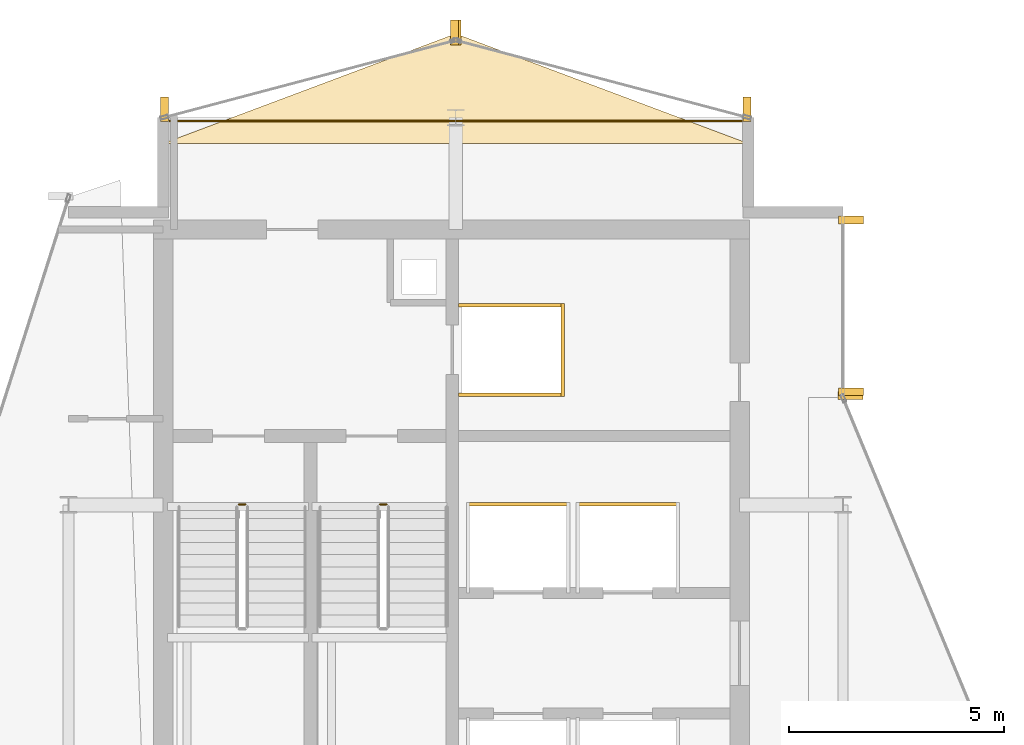
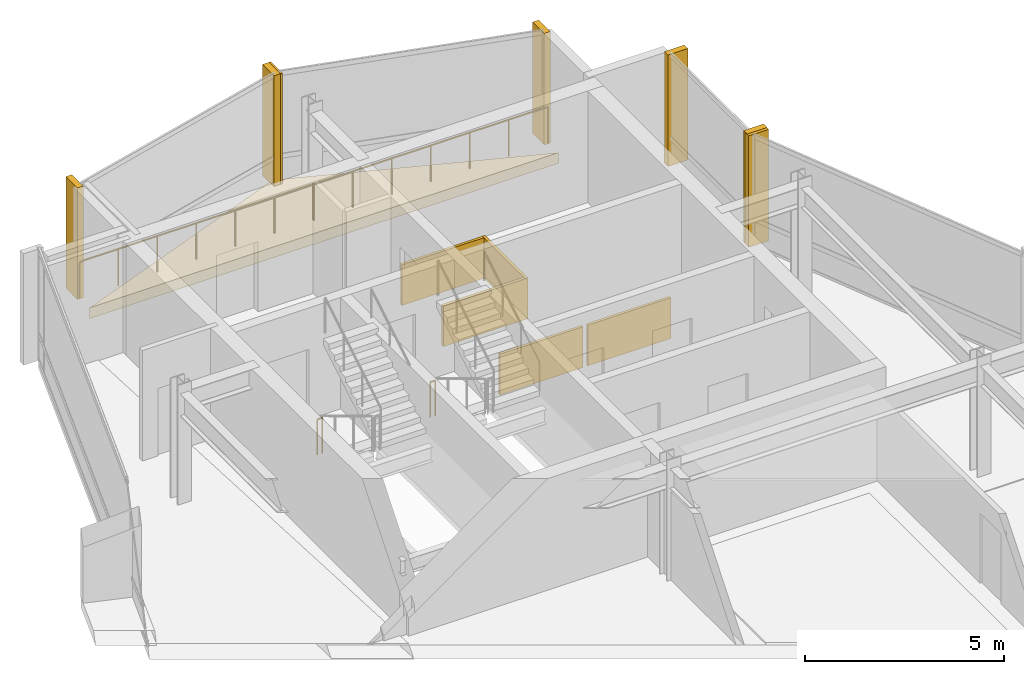
# One storey, part 19 of 19: 13 coverings, 3 railings.
"""IFC4 building model written with IfcOpenShell, lengths in metres."""

from ifc_helpers import new_model, si_unit, direction, frame, origin, origin_2d, place, context, subcontext, project, spatial, polyline, rectangle, circle, outline, extrude, material, layer, layer_set, type_object, element, save


model = new_model("IFC4")

# Units and contexts
model_context = context("Model", 3, precision=1e-05, world=origin(), true_north=direction((0.0, 1.0)))
body_context = subcontext(model_context, "Body", "Model", "MODEL_VIEW")
ifc_project = project(units=[si_unit("LENGTHUNIT", "METRE"), si_unit("AREAUNIT", "SQUARE_METRE"), si_unit("VOLUMEUNIT", "CUBIC_METRE"), si_unit("PLANEANGLEUNIT", "RADIAN"), si_unit("MASSUNIT", "GRAM", prefix="KILO")], contexts=[model_context])

# Site, building, storey
site_placement = place(None, origin())
site = spatial("IfcSite", under=ifc_project, at=site_placement, CompositionType="ELEMENT")
building_placement = place(site_placement, origin())
building = spatial("IfcBuilding", under=site, at=building_placement, Name="Solvaryn Broadcast Tower", CompositionType="ELEMENT")
storey_placement = place(building_placement, frame((0.0, 0.0, 244.5)))
storey = spatial("IfcBuildingStorey", under=building, at=storey_placement, Name="L61", CompositionType="ELEMENT", Elevation=244.5)

# Coverings
ifc_material_1 = material(Name="Fire-Rated Gypsum Shaftwall Liner", Category="concrete")
ifc_layer_1 = layer(ifc_material_1, 0.080078125)
ifc_layer_set_1 = layer_set([ifc_layer_1], Name="CV-SHAFT-LINER")
covering_type_1 = type_object("IfcCoveringType", Name="CV-SHAFT-LINER", PredefinedType="CLADDING", material=ifc_layer_set_1)
for number, where, z_axis, x_axis, name in (
    (1, (19.300048828125, 40.639892578125, 0.0), (0.0, 0.0, 1.0), (1.0, 0.0, 0.0), "L61 FL1 Hoistway Shaft Liner North"),
    (2, (19.300048828125, 38.56005859375, 0.0), (0.0, 0.0, 1.0), (1.0, 0.0, 0.0), "L61 FL1 Hoistway Shaft Liner South"),
):
    element("IfcCovering", number, at=place(storey_placement, frame(where, z_axis=z_axis, x_axis=x_axis)), inside=storey, type_object=covering_type_1, Name=name, PredefinedType="CLADDING", context=body_context, shape_type="SweptSolid", body=[
        extrude(rectangle(XDim=2.4599609375, YDim=0.080078125, at=origin_2d()), origin(), (0.0, 0.0, 1.0), 1.25),
    ])
covering_1_placement = place(storey_placement, frame((20.489990234375, 39.60009765625, 0.0), z_axis=(0.0, 0.0, 1.0), x_axis=(1.0, 0.0, 0.0)))
element("IfcCovering", 3, at=covering_1_placement, inside=storey, type_object=covering_type_1, Name="L61 FL1 Hoistway Shaft Liner East", PredefinedType="CLADDING", context=body_context, shape_type="SweptSolid", body=[
    extrude(rectangle(XDim=0.080078125, YDim=2.159912109375, at=origin_2d()), origin(), (0.0, 0.0, 1.0), 1.25),
])
for number, where, z_axis, x_axis, name in (
    (4, (19.449951171875, 36.014892578125, 0.0), (0.0, 0.0, 1.0), (1.0, 0.0, 0.0), "L61 PH3 Hoistway Shaft Liner North"),
    (5, (22.0, 36.014892578125, 0.0), (0.0, 0.0, 1.0), (1.0, 0.0, 0.0), "L61 PH4 Hoistway Shaft Liner North"),
):
    element("IfcCovering", number, at=place(storey_placement, frame(where, z_axis=z_axis, x_axis=x_axis)), inside=storey, type_object=covering_type_1, Name=name, PredefinedType="CLADDING", context=body_context, shape_type="SweptSolid", body=[
        extrude(rectangle(XDim=2.409912109375, YDim=0.080078125, at=origin_2d()), origin(), (0.0, 0.0, 1.0), 1.25),
    ])
ifc_material_2 = material(Name="Extruded Architectural Terracotta Fin", Category="masonry")
ifc_layer_2 = layer(ifc_material_2, 0.179931640625)
ifc_layer_set_2 = layer_set([ifc_layer_2], Name="CV-TC-FIN")
covering_type_2 = type_object("IfcCoveringType", Name="CV-TC-FIN", PredefinedType="USERDEFINED", material=ifc_layer_set_2)
for number, where, z_axis, x_axis, name in (
    (6, (27.1875, 42.6201171875, 0.0), (0.0, 0.0, 1.0), (1.0, 0.0, 0.0), "L61 Terracotta Vertical Fin FIN-L61-IV-M00"),
    (7, (27.1875, 38.6298828125, 0.0), (0.0, 0.0, 1.0), (1.0, 0.0, 0.0), "L61 Terracotta Vertical Fin FIN-L61-IV-M01"),
    (8, (27.177978515625, 38.541259765625, 0.0), (0.0, 0.0, 1.0), (1.0, 0.0, 0.0), "L61 Terracotta Vertical Fin FIN-L61-CN2-M01"),
):
    element("IfcCovering", number, at=place(storey_placement, frame(where, z_axis=z_axis, x_axis=x_axis)), inside=storey, type_object=covering_type_2, Name=name, ObjectType="FIN", PredefinedType="USERDEFINED", context=body_context, shape_type="SweptSolid", body=[
        extrude(rectangle(XDim=0.580078125, YDim=0.179931640625, at=origin_2d()), origin(), (0.0, 0.0, 1.0), 3.419921875),
    ])
for number, where, z_axis, x_axis, name in (
    (9, (24.77099609375, 45.1953125, 0.0), (0.0, 0.0, 1.0), (1.0, 0.0, 0.0), "L61 Terracotta Vertical Fin FIN-L61-NT1-M00"),
    (10, (18.029052734375, 46.979736328125, 0.0), (0.0, 0.0, 1.0), (1.0, 0.0, 0.0), "L61 Terracotta Vertical Fin FIN-L61-NT1-M01"),
    (11, (17.970947265625, 46.979736328125, 0.0), (0.0, 0.0, 1.0), (1.0, 0.0, 0.0), "L61 Terracotta Vertical Fin FIN-L61-NT2-M00"),
    (12, (11.22900390625, 45.1953125, 0.0), (0.0, 0.0, 1.0), (1.0, 0.0, 0.0), "L61 Terracotta Vertical Fin FIN-L61-NT2-M01"),
):
    element("IfcCovering", number, at=place(storey_placement, frame(where, z_axis=z_axis, x_axis=x_axis)), inside=storey, type_object=covering_type_2, Name=name, ObjectType="FIN", PredefinedType="USERDEFINED", context=body_context, shape_type="SweptSolid", body=[
        extrude(rectangle(XDim=0.179931640625, YDim=0.580078125, at=origin_2d()), origin(), (0.0, 0.0, 1.0), 3.419921875),
    ])
ifc_material_3 = material(Name="Sculpted Architectural Terracotta Wave Fascia", Category="masonry")
ifc_layer_3 = layer(ifc_material_3, 0.340087890625)
ifc_layer_set_3 = layer_set([ifc_layer_3], Name="CV-WAVE-TRAY")
covering_type_3 = type_object("IfcCoveringType", Name="CV-WAVE-TRAY", PredefinedType="CLADDING", material=ifc_layer_set_3)
covering_2_placement = place(storey_placement, frame((0.0, 0.0, -0.300048828125)))
element("IfcCovering", 13, at=covering_2_placement, inside=storey, type_object=covering_type_3, Name="L61 North Curved Wing Deck", PredefinedType="CLADDING", context=body_context, shape_type="SweptSolid", body=[
    extrude(outline(polyline([(11.199951171875, 44.39990234375), (24.800048828125, 44.39990234375), (18.0, 46.949951171875), (11.199951171875, 44.39990234375)])), origin(), (0.0, 0.0, 1.0), 0.330078125),
])

# Railings
ifc_material_4 = material(Name="Painted Steel Stair Well Guard", Category="steel")
railing_type_1 = type_object("IfcRailingType", Name="RL-STAIR-GUARD", PredefinedType="BALUSTRADE", material=ifc_material_4)
railing_1_placement = place(storey_placement, frame((12.9599609375, 36.010009765625, 0.0)))
element("IfcRailing", 14, at=railing_1_placement, inside=storey, type_object=railing_type_1, Name="L61 ST1 stair guard 4", PredefinedType="BALUSTRADE", context=body_context, shape_type="SweptSolid", body=[
    extrude(circle(Radius=0.02392578125, at=origin_2d()), frame((0.0, 0.0, 1.076171875), z_axis=(1.0, 0.0, 0.0), x_axis=(0.0, 1.0, 0.0)), (0.0, 0.0, 1.0), 0.150146484375),
    extrude(circle(Radius=0.02099609375, at=origin_2d()), origin(), (0.0, 0.0, 1.0), 1.052001953125),
    extrude(circle(Radius=0.02099609375, at=origin_2d()), frame((0.150146484375, 0.0, 0.0)), (0.0, 0.0, 1.0), 1.052001953125),
])
railing_2_placement = place(storey_placement, frame((16.239990234375, 36.010009765625, 0.0)))
element("IfcRailing", 15, at=railing_2_placement, inside=storey, type_object=railing_type_1, Name="L61 ST2 stair guard 4", PredefinedType="BALUSTRADE", context=body_context, shape_type="SweptSolid", body=[
    extrude(circle(Radius=0.02392578125, at=origin_2d()), frame((0.0, 0.0, 1.076171875), z_axis=(1.0, 0.0, 0.0), x_axis=(0.0, 1.0, 0.0)), (0.0, 0.0, 1.0), 0.14990234375),
    extrude(circle(Radius=0.02099609375, at=origin_2d()), origin(), (0.0, 0.0, 1.0), 1.052001953125),
    extrude(circle(Radius=0.02099609375, at=origin_2d()), frame((0.14990234375, 0.0, 0.0)), (0.0, 0.0, 1.0), 1.052001953125),
])
ifc_material_5 = material(Name="Stainless Steel and Laminated Glass Guard", Category="steel")
railing_type_2 = type_object("IfcRailingType", Name="RL-TER-1150", PredefinedType="BALUSTRADE", material=ifc_material_5)
railing_3_placement = place(storey_placement, frame((11.199951171875, 44.919921875, 0.0)))
element("IfcRailing", 16, at=railing_3_placement, inside=storey, type_object=railing_type_2, Name="L61 North Wing Spandrel Edge Guard", PredefinedType="BALUSTRADE", context=body_context, shape_type="SweptSolid", body=[
    extrude(circle(Radius=0.02392578125, at=origin_2d()), frame((0.0, 0.0, 1.1259765625), z_axis=(1.0, 0.0, 0.0), x_axis=(0.0, 1.0, 0.0)), (0.0, 0.0, 1.0), 13.60009765625),
    extrude(circle(Radius=0.02099609375, at=origin_2d()), origin(), (0.0, 0.0, 1.0), 1.101806640625),
    extrude(circle(Radius=0.02099609375, at=origin_2d()), frame((1.13330078125, 0.0, 0.0)), (0.0, 0.0, 1.0), 1.101806640625),
    extrude(circle(Radius=0.02099609375, at=origin_2d()), frame((2.2666015625, 0.0, 0.0)), (0.0, 0.0, 1.0), 1.101806640625),
    extrude(circle(Radius=0.02099609375, at=origin_2d()), frame((3.39990234375, 0.0, 0.0)), (0.0, 0.0, 1.0), 1.101806640625),
    extrude(circle(Radius=0.02099609375, at=origin_2d()), frame((4.533447265625, 0.0, 0.0)), (0.0, 0.0, 1.0), 1.101806640625),
    extrude(circle(Radius=0.02099609375, at=origin_2d()), frame((5.666748046875, 0.0, 0.0)), (0.0, 0.0, 1.0), 1.101806640625),
    extrude(circle(Radius=0.02099609375, at=origin_2d()), frame((6.800048828125, 0.0, 0.0)), (0.0, 0.0, 1.0), 1.101806640625),
    extrude(circle(Radius=0.02099609375, at=origin_2d()), frame((7.933349609375, 0.0, 0.0)), (0.0, 0.0, 1.0), 1.101806640625),
    extrude(circle(Radius=0.02099609375, at=origin_2d()), frame((9.066650390625, 0.0, 0.0)), (0.0, 0.0, 1.0), 1.101806640625),
    extrude(circle(Radius=0.02099609375, at=origin_2d()), frame((10.2001953125, 0.0, 0.0)), (0.0, 0.0, 1.0), 1.101806640625),
    extrude(circle(Radius=0.02099609375, at=origin_2d()), frame((11.33349609375, 0.0, 0.0)), (0.0, 0.0, 1.0), 1.101806640625),
    extrude(circle(Radius=0.02099609375, at=origin_2d()), frame((12.466796875, 0.0, 0.0)), (0.0, 0.0, 1.0), 1.101806640625),
    extrude(circle(Radius=0.02099609375, at=origin_2d()), frame((13.60009765625, 0.0, 0.0)), (0.0, 0.0, 1.0), 1.101806640625),
])

save(model, "model.ifc")
